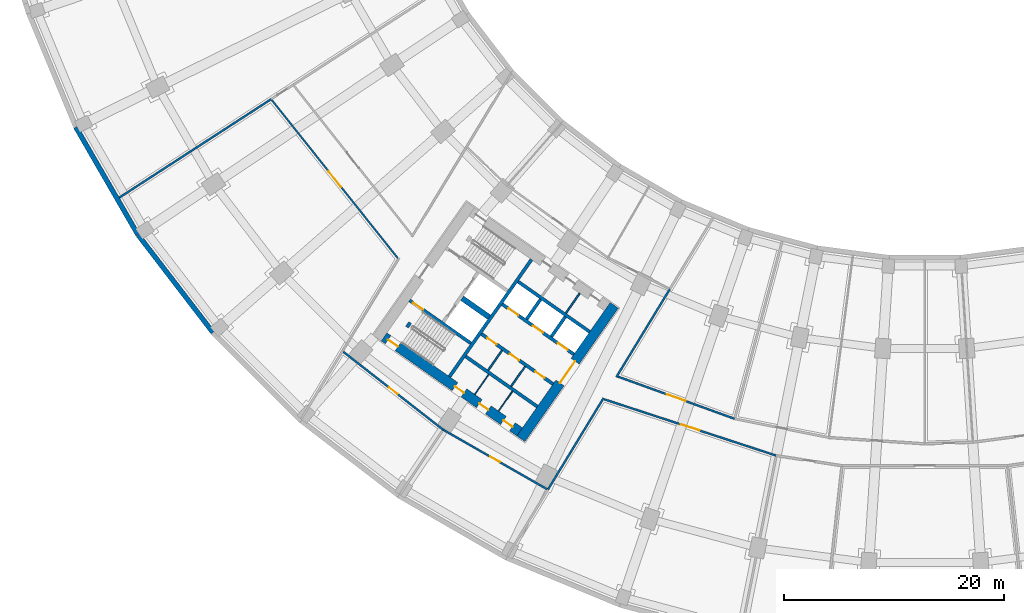
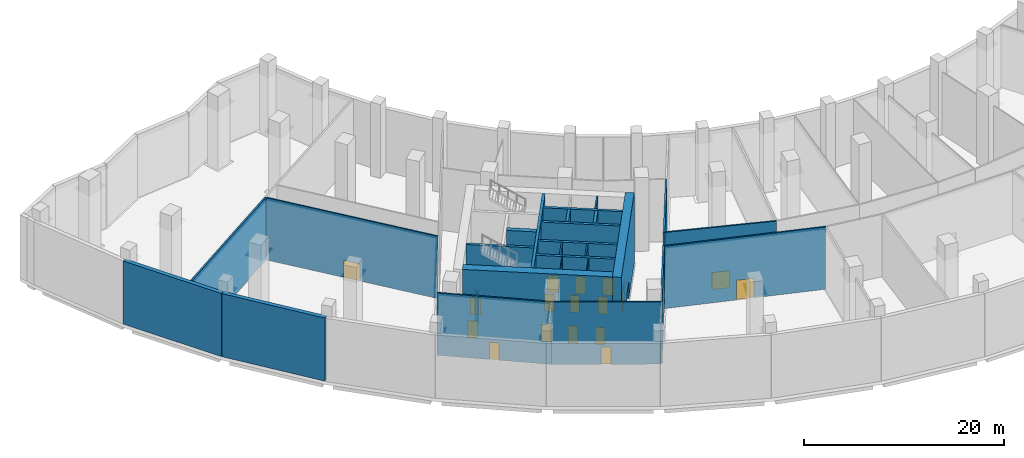
# One storey, part 5 of 19: 27 walls, 17 doors, 17 openings.
"""IFC4 building model written with IfcOpenShell, lengths in metres."""

from ifc_helpers import new_model, si_unit, direction, frame, frame_2d, origin, place, context, subcontext, project, spatial, rectangle, extrude, material, layer, layer_set, type_object, element, fill, save


model = new_model("IFC4")

# Units and contexts
model_context = context("Model", 3, precision=1e-05, world=origin(), true_north=direction((0.0, 1.0)))
body_context = subcontext(model_context, "Body", "Model", "MODEL_VIEW")
ifc_project = project(units=[si_unit("LENGTHUNIT", "METRE"), si_unit("AREAUNIT", "SQUARE_METRE"), si_unit("VOLUMEUNIT", "CUBIC_METRE"), si_unit("PLANEANGLEUNIT", "RADIAN"), si_unit("MASSUNIT", "GRAM", prefix="KILO")], contexts=[model_context])

# Site, building, storey
site_placement = place(None, origin())
site = spatial("IfcSite", under=ifc_project, at=site_placement, CompositionType="ELEMENT")
building_placement = place(site_placement, origin())
building = spatial("IfcBuilding", under=site, at=building_placement, Name="Qamariyya Broadcast Tower", CompositionType="ELEMENT")
storey_placement = place(building_placement, frame((0.0, 0.0, 9.0)))
storey = spatial("IfcBuildingStorey", under=building, at=storey_placement, Name="L01", CompositionType="ELEMENT", Elevation=9.0)

# Wall, opening, door
ifc_material_1 = material(Name="Concrete C70/85", Category="concrete")
ifc_layer_1 = layer(ifc_material_1, 0.89990234375)
ifc_layer_set_1 = layer_set([ifc_layer_1], Name="Core wall 900 mm Concrete C70/85")
wall_type_1 = type_object("IfcWallType", Name="Core wall 900 mm Concrete C70/85", PredefinedType="SHEAR", material=ifc_layer_set_1)
wall_1_placement = place(storey_placement, frame((-36.716796875, -66.3369140625, 0.0), z_axis=(0.0, 0.0, 1.0), x_axis=(0.573577477574, 0.819151315216, 0.0)))
wall_1 = element("IfcWall", 1, at=wall_1_placement, inside=storey, type_object=wall_type_1, Name="k-W-L01-WA", PredefinedType="SHEAR", context=body_context, shape_type="SweptSolid", body=[
    extrude(rectangle(XDim=14.800048828125, YDim=0.89990234375, at=frame_2d((7.39990234375, 0.0))), origin(), (0.0, 0.0, 1.0), 8.60009765625),
])
opening_1_placement = place(wall_1_placement, frame((6.199951171875, 0.0, 0.0)))
opening_1 = element("IfcOpeningElement", 2, at=opening_1_placement, cuts=wall_1, Name="Opening KD3-W1", PredefinedType="OPENING", context=body_context, shape_type="SweptSolid", body=[
    extrude(rectangle(XDim=2.39990234375, YDim=2.10009765625, at=frame_2d((1.199951171875, 1.050048828125))), frame((0.0, 0.4599609375, 0.0), z_axis=(0.0, -1.0, 0.0), x_axis=(1.0, 0.0, 0.0)), (0.0, 0.0, 1.0), 0.919921875),
])
ifc_material_2 = material(Name="Steel fire-resisting door leaf", Category="steel")
door_type_1 = type_object("IfcDoorType", Name="Lift lobby door KD3", OperationType="DOUBLE_DOOR_SINGLE_SWING", PredefinedType="DOOR", material=ifc_material_2)
door_1_placement = place(opening_1_placement, origin())
door_1 = element("IfcDoor", 3, at=door_1_placement, inside=storey, type_object=door_type_1, Name="k-W-L01-WA-D1", OperationType="DOUBLE_DOOR_SINGLE_SWING", OverallHeight=2.10009765625, OverallWidth=2.39990234375, PredefinedType="DOOR", context=body_context, shape_type="SweptSolid", body=[
    extrude(rectangle(XDim=2.39990234375, YDim=2.10009765625, at=frame_2d((1.199951171875, 1.050048828125))), frame((0.0, 0.02490234375, 0.0), z_axis=(0.0, -1.0, 0.0), x_axis=(1.0, 0.0, 0.0)), (0.0, 0.0, 1.0), 0.050048828125),
])
fill(opening_1, door_1)

# Wall, openings, doors
wall_2_placement = place(storey_placement, frame((-36.827392578125, -65.710205078125, 0.0), z_axis=(0.0, 0.0, 1.0), x_axis=(-0.819153391756, 0.573574511963, 0.0)))
wall_2 = element("IfcWall", 4, at=wall_2_placement, inside=storey, type_object=wall_type_1, Name="k-W-L01-WO", PredefinedType="SHEAR", context=body_context, shape_type="SweptSolid", body=[
    extrude(rectangle(XDim=15.04541015625, YDim=0.89990234375, at=frame_2d((7.522705078125, 0.0))), origin(), (0.0, 0.0, 1.0), 8.60009765625),
])
opening_2_placement = place(wall_2_placement, frame((0.800048828125, 0.0, 0.0)))
opening_2 = element("IfcOpeningElement", 5, at=opening_2_placement, cuts=wall_2, Name="Opening KD4-W2", PredefinedType="OPENING", context=body_context, shape_type="SweptSolid", body=[
    extrude(rectangle(XDim=1.0, YDim=2.10009765625, at=frame_2d((0.5, 1.050048828125))), frame((0.0, 0.4599609375, 0.0), z_axis=(0.0, -1.0, 0.0), x_axis=(1.0, 0.0, 0.0)), (0.0, 0.0, 1.0), 0.919921875),
])
opening_3_placement = place(wall_2_placement, frame((3.47509765625, 0.0, 0.0)))
opening_3 = element("IfcOpeningElement", 6, at=opening_3_placement, cuts=wall_2, Name="Opening KD4-W3", PredefinedType="OPENING", context=body_context, shape_type="SweptSolid", body=[
    extrude(rectangle(XDim=1.0, YDim=2.10009765625, at=frame_2d((0.5, 1.050048828125))), frame((0.0, 0.4599609375, 0.0), z_axis=(0.0, -1.0, 0.0), x_axis=(1.0, 0.0, 0.0)), (0.0, 0.0, 1.0), 0.919921875),
])
opening_4_placement = place(wall_2_placement, frame((6.175048828125, 0.0, 0.0)))
opening_4 = element("IfcOpeningElement", 7, at=opening_4_placement, cuts=wall_2, Name="Opening KD4-W4", PredefinedType="OPENING", context=body_context, shape_type="SweptSolid", body=[
    extrude(rectangle(XDim=1.0, YDim=2.10009765625, at=frame_2d((0.5, 1.050048828125))), frame((0.0, 0.4599609375, 0.0), z_axis=(0.0, -1.0, 0.0), x_axis=(1.0, 0.0, 0.0)), (0.0, 0.0, 1.0), 0.919921875),
])
opening_5_placement = place(wall_2_placement, frame((13.495361328125, 0.0, 0.0)))
opening_5 = element("IfcOpeningElement", 8, at=opening_5_placement, cuts=wall_2, Name="Opening KD1-W3", PredefinedType="OPENING", context=body_context, shape_type="SweptSolid", body=[
    extrude(rectangle(XDim=1.10009765625, YDim=2.10009765625, at=frame_2d((0.550048828125, 1.050048828125))), frame((0.0, 0.4599609375, 0.0), z_axis=(0.0, -1.0, 0.0), x_axis=(1.0, 0.0, 0.0)), (0.0, 0.0, 1.0), 0.919921875),
])
door_type_2 = type_object("IfcDoorType", Name="Riser and plant door KD4", OperationType="SINGLE_SWING_LEFT", PredefinedType="DOOR", material=ifc_material_2)
door_2_placement = place(opening_2_placement, origin())
door_2 = element("IfcDoor", 9, at=door_2_placement, inside=storey, type_object=door_type_2, Name="k-W-L01-WO-D11", OperationType="SINGLE_SWING_RIGHT", OverallHeight=2.10009765625, OverallWidth=1.0, PredefinedType="DOOR", context=body_context, shape_type="SweptSolid", body=[
    extrude(rectangle(XDim=1.0, YDim=2.10009765625, at=frame_2d((0.5, 1.050048828125))), frame((0.0, 0.02490234375, 0.0), z_axis=(0.0, -1.0, 0.0), x_axis=(1.0, 0.0, 0.0)), (0.0, 0.0, 1.0), 0.050048828125),
])
fill(opening_2, door_2)
door_3_placement = place(opening_3_placement, origin())
door_3 = element("IfcDoor", 10, at=door_3_placement, inside=storey, type_object=door_type_2, Name="k-W-L01-WO-D12", OperationType="SINGLE_SWING_LEFT", OverallHeight=2.10009765625, OverallWidth=1.0, PredefinedType="DOOR", context=body_context, shape_type="SweptSolid", body=[
    extrude(rectangle(XDim=1.0, YDim=2.10009765625, at=frame_2d((0.5, 1.050048828125))), frame((0.0, 0.02490234375, 0.0), z_axis=(0.0, -1.0, 0.0), x_axis=(1.0, 0.0, 0.0)), (0.0, 0.0, 1.0), 0.050048828125),
])
fill(opening_3, door_3)
door_4_placement = place(opening_4_placement, origin())
door_4 = element("IfcDoor", 11, at=door_4_placement, inside=storey, type_object=door_type_2, Name="k-W-L01-WO-D13", OperationType="SINGLE_SWING_RIGHT", OverallHeight=2.10009765625, OverallWidth=1.0, PredefinedType="DOOR", context=body_context, shape_type="SweptSolid", body=[
    extrude(rectangle(XDim=1.0, YDim=2.10009765625, at=frame_2d((0.5, 1.050048828125))), frame((0.0, 0.02490234375, 0.0), z_axis=(0.0, -1.0, 0.0), x_axis=(1.0, 0.0, 0.0)), (0.0, 0.0, 1.0), 0.050048828125),
])
fill(opening_4, door_4)
door_type_3 = type_object("IfcDoorType", Name="Stair door KD1", OperationType="SINGLE_SWING_LEFT", PredefinedType="DOOR", material=ifc_material_2)
door_5_placement = place(opening_5_placement, origin())
door_5 = element("IfcDoor", 12, at=door_5_placement, inside=storey, type_object=door_type_3, Name="k-W-L01-WO-D19", OperationType="SINGLE_SWING_LEFT", OverallHeight=2.10009765625, OverallWidth=1.10009765625, PredefinedType="DOOR", context=body_context, shape_type="SweptSolid", body=[
    extrude(rectangle(XDim=1.10009765625, YDim=2.10009765625, at=frame_2d((0.550048828125, 1.050048828125))), frame((0.0, 0.02490234375, 0.0), z_axis=(0.0, -1.0, 0.0), x_axis=(1.0, 0.0, 0.0)), (0.0, 0.0, 1.0), 0.050048828125),
])
fill(opening_5, door_5)

# Wall, opening, door
ifc_material_3 = material(Name="Gypsum board partition")
ifc_layer_2 = layer(ifc_material_3, 0.14990234375)
ifc_layer_set_2 = layer_set([ifc_layer_2], Name="Corridor partition 150 EI 60")
wall_type_2 = type_object("IfcWallType", Name="Corridor partition 150 EI 60", PredefinedType="PARTITIONING", material=ifc_layer_set_2)
wall_3_placement = place(storey_placement, frame((-47.893310546875, -49.934814453125, 0.0), z_axis=(0.0, 0.0, 1.0), x_axis=(-0.623145641882, 0.782105817011, 0.0)))
wall_3 = element("IfcWall", 13, at=wall_3_placement, inside=storey, type_object=wall_type_2, Name="Partition L01-007", PredefinedType="PARTITIONING", context=body_context, shape_type="SweptSolid", body=[
    extrude(rectangle(XDim=18.404296875, YDim=0.14990234375, at=frame_2d((9.2021484375, 0.0))), origin(), (0.0, 0.0, 1.0), 7.60009765625),
])
opening_6_placement = place(wall_3_placement, frame((8.30224609375, 0.0, 0.0)))
opening_6 = element("IfcOpeningElement", 14, at=opening_6_placement, cuts=wall_3, Name="Opening L01-D18", PredefinedType="OPENING", context=body_context, shape_type="SweptSolid", body=[
    extrude(rectangle(XDim=1.800048828125, YDim=2.10009765625, at=frame_2d((0.89990234375, 1.050048828125))), frame((0.0, 0.0849609375, 0.0), z_axis=(0.0, -1.0, 0.0), x_axis=(1.0, 0.0, 0.0)), (0.0, 0.0, 1.0), 0.169921875),
])
ifc_material_4 = material(Name="Timber fire door leaf", Category="wood")
door_type_4 = type_object("IfcDoorType", Name="Double fire door 1800 x 2100 FD60", OperationType="NOTDEFINED", PredefinedType="DOOR", material=ifc_material_4)
door_6_placement = place(opening_6_placement, origin())
door_6 = element("IfcDoor", 15, at=door_6_placement, inside=storey, type_object=door_type_4, Name="Door L01-D18", OperationType="DOUBLE_DOOR_SINGLE_SWING", OverallHeight=2.10009765625, OverallWidth=1.800048828125, PredefinedType="DOOR", context=body_context, shape_type="SweptSolid", body=[
    extrude(rectangle(XDim=1.800048828125, YDim=2.10009765625, at=frame_2d((0.89990234375, 1.050048828125))), frame((0.0, 0.02490234375, 0.0), z_axis=(0.0, -1.0, 0.0), x_axis=(1.0, 0.0, 0.0)), (0.0, 0.0, 1.0), 0.050048828125),
])
fill(opening_6, door_6)

# Walls
ifc_material_5 = material(Name="Concrete C60/75", Category="concrete")
ifc_layer_3 = layer(ifc_material_5, 0.5)
ifc_layer_set_3 = layer_set([ifc_layer_3], Name="Fire-fighting lobby divider wall 500 mm Concrete C60/75")
wall_type_3 = type_object("IfcWallType", Name="Fire-fighting lobby divider wall 500 mm Concrete C60/75", PredefinedType="SOLIDWALL", material=ifc_layer_set_3)
wall_4_placement = place(storey_placement, frame((-39.59912109375, -55.28515625, 0.0), z_axis=(0.0, 0.0, 1.0), x_axis=(-0.819136323161, 0.573598887793, 0.0)))
element("IfcWall", 16, at=wall_4_placement, inside=storey, type_object=wall_type_3, Name="k-W-L01-FD", PredefinedType="SOLIDWALL", context=body_context, shape_type="SweptSolid", body=[
    extrude(rectangle(XDim=2.999755859375, YDim=0.5, at=frame_2d((1.5, 0.0))), origin(), (0.0, 0.0, 1.0), 8.60009765625),
])
ifc_material_6 = material(Name="Gypsum board partition on steel studs", Category="steel")
ifc_layer_4 = layer(ifc_material_6, 0.14990234375)
ifc_layer_set_4 = layer_set([ifc_layer_4], Name="Gypsum board partition 150 mm")
wall_type_4 = type_object("IfcWallType", Name="Gypsum board partition 150 mm", PredefinedType="PARTITIONING", material=ifc_layer_set_4)
for number, where, z_axis, x_axis, name in (
    (17, (-36.330810546875, -59.77099609375, 0.0), (0.0, 0.0, 1.0), (-0.573633636671, -0.819111989218, 0.0), "k-W-L01-SC300"),
    (18, (-38.419677734375, -58.308349609375, 0.0), (0.0, 0.0, 1.0), (-0.573633636671, -0.819111989218, 0.0), "k-W-L01-SC555"),
    (19, (-32.627197265625, -54.91748046875, 0.0), (0.0, 0.0, 1.0), (0.573507030513, 0.819200638399, 0.0), "k-W-L01-NP275"),
):
    element("IfcWall", number, at=place(storey_placement, frame(where, z_axis=z_axis, x_axis=x_axis)), inside=storey, type_object=wall_type_4, Name=name, PredefinedType="PARTITIONING", context=body_context, shape_type="SweptSolid", body=[
        extrude(rectangle(XDim=2.199951171875, YDim=0.14990234375, at=frame_2d((1.10009765625, 0.0))), origin(), (0.0, 0.0, 1.0), 8.60009765625),
    ])
ifc_layer_5 = layer(ifc_material_5, 0.300048828125)
ifc_layer_set_5 = layer_set([ifc_layer_5], Name="Lift shaft wall 300 mm Concrete C60/75")
wall_type_5 = type_object("IfcWallType", Name="Lift shaft wall 300 mm Concrete C60/75", PredefinedType="SOLIDWALL", material=ifc_layer_set_5)
wall_5_placement = place(storey_placement, frame((-43.204345703125, -60.69580078125, 0.0), z_axis=(0.0, 0.0, 1.0), x_axis=(0.573571992966, 0.819155155563, 0.0)))
element("IfcWall", 20, at=wall_5_placement, inside=storey, type_object=wall_type_5, Name="k-W-L01-WL", PredefinedType="SOLIDWALL", context=body_context, shape_type="SweptSolid", body=[
    extrude(rectangle(XDim=13.000244140625, YDim=0.300048828125, at=frame_2d((6.5, 0.0))), origin(), (0.0, 0.0, 1.0), 8.60009765625),
])

# Wall, openings, doors
wall_6_placement = place(storey_placement, frame((-31.89453125, -58.66552734375, 0.0), z_axis=(0.0, 0.0, 1.0), x_axis=(-0.819166993208, 0.573555086491, 0.0)))
wall_6 = element("IfcWall", 21, at=wall_6_placement, inside=storey, type_object=wall_type_5, Name="k-W-L01-NF0", PredefinedType="SOLIDWALL", context=body_context, shape_type="SweptSolid", body=[
    extrude(rectangle(XDim=7.9501953125, YDim=0.300048828125, at=frame_2d((3.97509765625, 0.0))), origin(), (0.0, 0.0, 1.0), 8.60009765625),
])
opening_7_placement = place(wall_6_placement, frame((0.675048828125, 0.0, 0.0)))
opening_7 = element("IfcOpeningElement", 22, at=opening_7_placement, cuts=wall_6, Name="Opening LD", PredefinedType="OPENING", context=body_context, shape_type="SweptSolid", body=[
    extrude(rectangle(XDim=1.10009765625, YDim=2.10009765625, at=frame_2d((0.550048828125, 1.050048828125))), frame((0.0, 0.159912109375, 0.0), z_axis=(0.0, -1.0, 0.0), x_axis=(1.0, 0.0, 0.0)), (0.0, 0.0, 1.0), 0.320068359375),
])
opening_8_placement = place(wall_6_placement, frame((3.425048828125, 0.0, 0.0)))
opening_8 = element("IfcOpeningElement", 23, at=opening_8_placement, cuts=wall_6, Name="Opening LD", PredefinedType="OPENING", context=body_context, shape_type="SweptSolid", body=[
    extrude(rectangle(XDim=1.10009765625, YDim=2.10009765625, at=frame_2d((0.550048828125, 1.050048828125))), frame((0.0, 0.159912109375, 0.0), z_axis=(0.0, -1.0, 0.0), x_axis=(1.0, 0.0, 0.0)), (0.0, 0.0, 1.0), 0.320068359375),
])
opening_9_placement = place(wall_6_placement, frame((6.175048828125, 0.0, 0.0)))
opening_9 = element("IfcOpeningElement", 24, at=opening_9_placement, cuts=wall_6, Name="Opening LD", PredefinedType="OPENING", context=body_context, shape_type="SweptSolid", body=[
    extrude(rectangle(XDim=1.10009765625, YDim=2.10009765625, at=frame_2d((0.550048828125, 1.050048828125))), frame((0.0, 0.159912109375, 0.0), z_axis=(0.0, -1.0, 0.0), x_axis=(1.0, 0.0, 0.0)), (0.0, 0.0, 1.0), 0.320068359375),
])
door_type_5 = type_object("IfcDoorType", Name="Lift landing door LD", OperationType="DOUBLE_DOOR_SLIDING", PredefinedType="DOOR", material=ifc_material_2)
door_7_placement = place(opening_7_placement, origin())
door_7 = element("IfcDoor", 25, at=door_7_placement, inside=storey, type_object=door_type_5, Name="k-W-L01-NF0-D2", OperationType="DOUBLE_DOOR_SLIDING", OverallHeight=2.10009765625, OverallWidth=1.10009765625, PredefinedType="DOOR", context=body_context, shape_type="SweptSolid", body=[
    extrude(rectangle(XDim=1.10009765625, YDim=2.10009765625, at=frame_2d((0.550048828125, 1.050048828125))), frame((0.0, 0.02490234375, 0.0), z_axis=(0.0, -1.0, 0.0), x_axis=(1.0, 0.0, 0.0)), (0.0, 0.0, 1.0), 0.050048828125),
])
fill(opening_7, door_7)
door_8_placement = place(opening_8_placement, origin())
door_8 = element("IfcDoor", 26, at=door_8_placement, inside=storey, type_object=door_type_5, Name="k-W-L01-NF0-D3", OperationType="DOUBLE_DOOR_SLIDING", OverallHeight=2.10009765625, OverallWidth=1.10009765625, PredefinedType="DOOR", context=body_context, shape_type="SweptSolid", body=[
    extrude(rectangle(XDim=1.10009765625, YDim=2.10009765625, at=frame_2d((0.550048828125, 1.050048828125))), frame((0.0, 0.02490234375, 0.0), z_axis=(0.0, -1.0, 0.0), x_axis=(1.0, 0.0, 0.0)), (0.0, 0.0, 1.0), 0.050048828125),
])
fill(opening_8, door_8)
door_9_placement = place(opening_9_placement, origin())
door_9 = element("IfcDoor", 27, at=door_9_placement, inside=storey, type_object=door_type_5, Name="k-W-L01-NF0-D4", OperationType="DOUBLE_DOOR_SLIDING", OverallHeight=2.10009765625, OverallWidth=1.10009765625, PredefinedType="DOOR", context=body_context, shape_type="SweptSolid", body=[
    extrude(rectangle(XDim=1.10009765625, YDim=2.10009765625, at=frame_2d((0.550048828125, 1.050048828125))), frame((0.0, 0.02490234375, 0.0), z_axis=(0.0, -1.0, 0.0), x_axis=(1.0, 0.0, 0.0)), (0.0, 0.0, 1.0), 0.050048828125),
])
fill(opening_9, door_9)

# Walls
wall_7_placement = place(storey_placement, frame((-30.460693359375, -56.61767578125, 0.0), z_axis=(0.0, 0.0, 1.0), x_axis=(-0.819142461705, 0.573590121456, 0.0)))
element("IfcWall", 28, at=wall_7_placement, inside=storey, type_object=wall_type_5, Name="k-W-L01-NB0", PredefinedType="SOLIDWALL", context=body_context, shape_type="SweptSolid", body=[
    extrude(rectangle(XDim=7.949951171875, YDim=0.300048828125, at=frame_2d((3.97509765625, 0.0))), origin(), (0.0, 0.0, 1.0), 8.60009765625),
])
wall_8_placement = place(storey_placement, frame((-33.9384765625, -57.051513671875, 0.0), z_axis=(0.0, 0.0, 1.0), x_axis=(0.573581496053, 0.819148501424, 0.0)))
element("IfcWall", 29, at=wall_8_placement, inside=storey, type_object=wall_type_5, Name="k-W-L01-ND0", PredefinedType="SOLIDWALL", context=body_context, shape_type="SweptSolid", body=[
    extrude(rectangle(XDim=2.2001953125, YDim=0.300048828125, at=frame_2d((1.10009765625, 0.0))), origin(), (0.0, 0.0, 1.0), 8.60009765625),
])
wall_9_placement = place(storey_placement, frame((-36.19091796875, -55.47412109375, 0.0), z_axis=(0.0, 0.0, 1.0), x_axis=(0.573507030513, 0.819200638399, 0.0)))
element("IfcWall", 30, at=wall_9_placement, inside=storey, type_object=wall_type_5, Name="k-W-L01-ND1", PredefinedType="SOLIDWALL", context=body_context, shape_type="SweptSolid", body=[
    extrude(rectangle(XDim=2.199951171875, YDim=0.300048828125, at=frame_2d((1.10009765625, 0.0))), origin(), (0.0, 0.0, 1.0), 8.60009765625),
])

# Wall, openings, doors
wall_10_placement = place(storey_placement, frame((-33.787353515625, -61.368896484375, 0.0), z_axis=(0.0, 0.0, 1.0), x_axis=(-0.819152564888, 0.573575692858, 0.0)))
wall_10 = element("IfcWall", 31, at=wall_10_placement, inside=storey, type_object=wall_type_5, Name="k-W-L01-SF0", PredefinedType="SOLIDWALL", context=body_context, shape_type="SweptSolid", body=[
    extrude(rectangle(XDim=7.9501953125, YDim=0.300048828125, at=frame_2d((3.97509765625, 0.0))), origin(), (0.0, 0.0, 1.0), 8.60009765625),
])
opening_10_placement = place(wall_10_placement, frame((0.96240234375, 0.0, 0.0)))
opening_10 = element("IfcOpeningElement", 32, at=opening_10_placement, cuts=wall_10, Name="Opening KD6-W1", PredefinedType="OPENING", context=body_context, shape_type="SweptSolid", body=[
    extrude(rectangle(XDim=1.0, YDim=2.10009765625, at=frame_2d((0.5, 1.050048828125))), frame((0.0, 0.159912109375, 0.0), z_axis=(0.0, -1.0, 0.0), x_axis=(1.0, 0.0, 0.0)), (0.0, 0.0, 1.0), 0.320068359375),
])
opening_11_placement = place(wall_10_placement, frame((3.77490234375, 0.0, 0.0)))
opening_11 = element("IfcOpeningElement", 33, at=opening_11_placement, cuts=wall_10, Name="Opening KD4-W1", PredefinedType="OPENING", context=body_context, shape_type="SweptSolid", body=[
    extrude(rectangle(XDim=1.0, YDim=2.10009765625, at=frame_2d((0.5, 1.050048828125))), frame((0.0, 0.159912109375, 0.0), z_axis=(0.0, -1.0, 0.0), x_axis=(1.0, 0.0, 0.0)), (0.0, 0.0, 1.0), 0.320068359375),
])
opening_12_placement = place(wall_10_placement, frame((6.28759765625, 0.0, 0.0)))
opening_12 = element("IfcOpeningElement", 34, at=opening_12_placement, cuts=wall_10, Name="Opening KD6-W2", PredefinedType="OPENING", context=body_context, shape_type="SweptSolid", body=[
    extrude(rectangle(XDim=1.0, YDim=2.10009765625, at=frame_2d((0.5, 1.050048828125))), frame((0.0, 0.159912109375, 0.0), z_axis=(0.0, -1.0, 0.0), x_axis=(1.0, 0.0, 0.0)), (0.0, 0.0, 1.0), 0.320068359375),
])
door_type_6 = type_object("IfcDoorType", Name="Core room door KD6", OperationType="SINGLE_SWING_LEFT", PredefinedType="DOOR", material=ifc_material_2)
door_10_placement = place(opening_10_placement, origin())
door_10 = element("IfcDoor", 35, at=door_10_placement, inside=storey, type_object=door_type_6, Name="k-W-L01-SF0-D5", OperationType="SINGLE_SWING_RIGHT", OverallHeight=2.10009765625, OverallWidth=1.0, PredefinedType="DOOR", context=body_context, shape_type="SweptSolid", body=[
    extrude(rectangle(XDim=1.0, YDim=2.10009765625, at=frame_2d((0.5, 1.050048828125))), frame((0.0, 0.02490234375, 0.0), z_axis=(0.0, -1.0, 0.0), x_axis=(1.0, 0.0, 0.0)), (0.0, 0.0, 1.0), 0.050048828125),
])
fill(opening_10, door_10)
door_11_placement = place(opening_12_placement, origin())
door_11 = element("IfcDoor", 36, at=door_11_placement, inside=storey, type_object=door_type_6, Name="k-W-L01-SF0-D7", OperationType="SINGLE_SWING_RIGHT", OverallHeight=2.10009765625, OverallWidth=1.0, PredefinedType="DOOR", context=body_context, shape_type="SweptSolid", body=[
    extrude(rectangle(XDim=1.0, YDim=2.10009765625, at=frame_2d((0.5, 1.050048828125))), frame((0.0, 0.02490234375, 0.0), z_axis=(0.0, -1.0, 0.0), x_axis=(1.0, 0.0, 0.0)), (0.0, 0.0, 1.0), 0.050048828125),
])
fill(opening_12, door_11)
door_12_placement = place(opening_11_placement, origin())
door_12 = element("IfcDoor", 37, at=door_12_placement, inside=storey, type_object=door_type_2, Name="k-W-L01-SF0-D6", OperationType="SINGLE_SWING_LEFT", OverallHeight=2.10009765625, OverallWidth=1.0, PredefinedType="DOOR", context=body_context, shape_type="SweptSolid", body=[
    extrude(rectangle(XDim=1.0, YDim=2.10009765625, at=frame_2d((0.5, 1.050048828125))), frame((0.0, 0.02490234375, 0.0), z_axis=(0.0, -1.0, 0.0), x_axis=(1.0, 0.0, 0.0)), (0.0, 0.0, 1.0), 0.050048828125),
])
fill(opening_11, door_12)

# Wall
wall_11_placement = place(storey_placement, frame((-35.22119140625, -63.41650390625, 0.0), z_axis=(0.0, 0.0, 1.0), x_axis=(-0.819166993208, 0.573555086491, 0.0)))
element("IfcWall", 38, at=wall_11_placement, inside=storey, type_object=wall_type_5, Name="k-W-L01-SB0", PredefinedType="SOLIDWALL", context=body_context, shape_type="SweptSolid", body=[
    extrude(rectangle(XDim=7.9501953125, YDim=0.300048828125, at=frame_2d((3.97509765625, 0.0))), origin(), (0.0, 0.0, 1.0), 8.60009765625),
])

# Wall, opening, door
wall_12_placement = place(storey_placement, frame((-41.262451171875, -57.66064453125, 0.0), z_axis=(0.0, 0.0, 1.0), x_axis=(-0.819164398642, 0.573558792102, 0.0)))
wall_12 = element("IfcWall", 39, at=wall_12_placement, inside=storey, type_object=wall_type_5, Name="k-W-L01-SW", PredefinedType="SOLIDWALL", context=body_context, shape_type="SweptSolid", body=[
    extrude(rectangle(XDim=6.795166015625, YDim=0.300048828125, at=frame_2d((3.3974609375, 0.0))), origin(), (0.0, 0.0, 1.0), 8.60009765625),
])
opening_13_placement = place(wall_12_placement, frame((5.3203125, 0.0, 0.0)))
opening_13 = element("IfcOpeningElement", 40, at=opening_13_placement, cuts=wall_12, Name="Opening KD1-W4", PredefinedType="OPENING", context=body_context, shape_type="SweptSolid", body=[
    extrude(rectangle(XDim=1.10009765625, YDim=2.10009765625, at=frame_2d((0.550048828125, 1.050048828125))), frame((0.0, 0.159912109375, 0.0), z_axis=(0.0, -1.0, 0.0), x_axis=(1.0, 0.0, 0.0)), (0.0, 0.0, 1.0), 0.320068359375),
])
door_13_placement = place(opening_13_placement, origin())
door_13 = element("IfcDoor", 41, at=door_13_placement, inside=storey, type_object=door_type_3, Name="k-W-L01-SW-D20", OperationType="SINGLE_SWING_LEFT", OverallHeight=2.10009765625, OverallWidth=1.10009765625, PredefinedType="DOOR", context=body_context, shape_type="SweptSolid", body=[
    extrude(rectangle(XDim=1.10009765625, YDim=2.10009765625, at=frame_2d((0.550048828125, 1.050048828125))), frame((0.0, 0.02490234375, 0.0), z_axis=(0.0, -1.0, 0.0), x_axis=(1.0, 0.0, 0.0)), (0.0, 0.0, 1.0), 0.050048828125),
])
fill(opening_13, door_13)

# Walls
wall_13_placement = place(storey_placement, frame((-47.064697265625, -56.19189453125, 0.0), z_axis=(0.0, 0.0, 1.0), x_axis=(0.573822822947, 0.818979467304, 0.0)))
element("IfcWall", 42, at=wall_13_placement, inside=storey, type_object=wall_type_5, Name="k-W-L01-W1PR", PredefinedType="SOLIDWALL", context=body_context, shape_type="SweptSolid", body=[
    extrude(rectangle(XDim=0.5, YDim=0.300048828125, at=frame_2d((0.25, 0.0))), origin(), (0.0, 0.0, 1.0), 4.300048828125),
])
ifc_material_7 = material(Name="Precast concrete C40/50 with terracotta facing", Category="masonry")
ifc_layer_6 = layer(ifc_material_7, 0.449951171875)
ifc_layer_set_6 = layer_set([ifc_layer_6], Name="Precast concrete C40/50 wall 450, terracotta faced")
wall_type_6 = type_object("IfcWallType", Name="Precast concrete C40/50 wall 450, terracotta faced", PredefinedType="SOLIDWALL", material=ifc_layer_set_6)
wall_14_placement = place(storey_placement, frame((-77.16796875, -38.021728515625, 0.0), z_axis=(0.0, 0.0, 1.0), x_axis=(0.500001430823, -0.866024577697, 0.0)))
element("IfcWall", 43, at=wall_14_placement, inside=storey, type_object=wall_type_6, Name="e-wl-L01-out20", PredefinedType="SOLIDWALL", context=body_context, shape_type="SweptSolid", body=[
    extrude(rectangle(XDim=11.3125, YDim=0.449951171875, at=frame_2d((5.65625, 0.0))), origin(), (0.0, 0.0, 1.0), 7.699951171875),
])
wall_15_placement = place(storey_placement, frame((-71.490966796875, -47.83935546875, 0.0), z_axis=(0.0, 0.0, 1.0), x_axis=(0.608758773695, -0.793355377778, 0.0)))
element("IfcWall", 44, at=wall_15_placement, inside=storey, type_object=wall_type_6, Name="e-wl-L01-out30", PredefinedType="SOLIDWALL", context=body_context, shape_type="SweptSolid", body=[
    extrude(rectangle(XDim=11.134765625, YDim=0.449951171875, at=frame_2d((5.5673828125, 0.0))), origin(), (0.0, 0.0, 1.0), 7.699951171875),
])
ifc_material_8 = material(Name="Fire-rated gypsum shaft liner on steel studs", Category="steel")
ifc_layer_7 = layer(ifc_material_8, 0.10009765625)
ifc_layer_set_7 = layer_set([ifc_layer_7], Name="Riser wall 100 mm")
wall_type_7 = type_object("IfcWallType", Name="Riser wall 100 mm", PredefinedType="PLUMBINGWALL", material=ifc_layer_set_7)
wall_16_placement = place(storey_placement, frame((-37.47802734375, -62.01953125, 0.0), z_axis=(0.0, 0.0, 1.0), x_axis=(-0.573581496053, -0.819148501424, 0.0)))
element("IfcWall", 45, at=wall_16_placement, inside=storey, type_object=wall_type_7, Name="k-W-L01-SP265", PredefinedType="PLUMBINGWALL", context=body_context, shape_type="SweptSolid", body=[
    extrude(rectangle(XDim=2.2001953125, YDim=0.10009765625, at=frame_2d((1.10009765625, 0.0))), origin(), (0.0, 0.0, 1.0), 8.60009765625),
])
wall_17_placement = place(storey_placement, frame((-39.64892578125, -60.49951171875, 0.0), z_axis=(0.0, 0.0, 1.0), x_axis=(-0.573507030513, -0.819200638399, 0.0)))
element("IfcWall", 46, at=wall_17_placement, inside=storey, type_object=wall_type_7, Name="k-W-L01-SP530", PredefinedType="PLUMBINGWALL", context=body_context, shape_type="SweptSolid", body=[
    extrude(rectangle(XDim=2.199951171875, YDim=0.10009765625, at=frame_2d((1.10009765625, 0.0))), origin(), (0.0, 0.0, 1.0), 8.60009765625),
])
ifc_layer_8 = layer(ifc_material_3, 0.179931640625)
ifc_layer_set_8 = layer_set([ifc_layer_8], Name="Studio acoustic partition 180 EI 60")
wall_type_8 = type_object("IfcWallType", Name="Studio acoustic partition 180 EI 60", PredefinedType="PARTITIONING", material=ifc_layer_set_8)
wall_18_placement = place(storey_placement, frame((-73.217041015625, -44.416259765625, 0.0), z_axis=(0.0, 0.0, 1.0), x_axis=(0.839098650594, 0.543979277703, 0.0)))
element("IfcWall", 47, at=wall_18_placement, inside=storey, type_object=wall_type_8, Name="Partition L01-001", PredefinedType="PARTITIONING", context=body_context, shape_type="SweptSolid", body=[
    extrude(rectangle(XDim=16.445068359375, YDim=0.179931640625, at=frame_2d((8.22265625, 0.0))), origin(), (0.0, 0.0, 1.0), 7.60009765625),
])

# Wall, opening, door
wall_19_placement = place(storey_placement, frame((-43.779052734375, -65.519775390625, 0.0), z_axis=(0.0, 0.0, 1.0), x_axis=(-0.788252635542, 0.615351755146, 0.0)))
wall_19 = element("IfcWall", 48, at=wall_19_placement, inside=storey, type_object=wall_type_8, Name="Partition L01-005", PredefinedType="PARTITIONING", context=body_context, shape_type="SweptSolid", body=[
    extrude(rectangle(XDim=11.5263671875, YDim=0.179931640625, at=frame_2d((5.76318359375, 0.0))), origin(), (0.0, 0.0, 1.0), 7.60009765625),
])
opening_14_placement = place(wall_19_placement, frame((5.26318359375, 0.0, 0.0)))
opening_14 = element("IfcOpeningElement", 49, at=opening_14_placement, cuts=wall_19, Name="Opening L01-D15", PredefinedType="OPENING", context=body_context, shape_type="SweptSolid", body=[
    extrude(rectangle(XDim=1.0, YDim=2.10009765625, at=frame_2d((0.5, 1.050048828125))), frame((0.0, 0.099853515625, 0.0), z_axis=(0.0, -1.0, 0.0), x_axis=(1.0, 0.0, 0.0)), (0.0, 0.0, 1.0), 0.199951171875),
])
door_type_7 = type_object("IfcDoorType", Name="Fire door 1000 x 2100 FD60", OperationType="NOTDEFINED", PredefinedType="DOOR", material=ifc_material_4)
door_14_placement = place(opening_14_placement, origin())
door_14 = element("IfcDoor", 50, at=door_14_placement, inside=storey, type_object=door_type_7, Name="Door L01-D15", OperationType="SINGLE_SWING_RIGHT", OverallHeight=2.10009765625, OverallWidth=1.0, PredefinedType="DOOR", context=body_context, shape_type="SweptSolid", body=[
    extrude(rectangle(XDim=1.0, YDim=2.10009765625, at=frame_2d((0.5, 1.050048828125))), frame((0.0, 0.02490234375, 0.0), z_axis=(0.0, -1.0, 0.0), x_axis=(1.0, 0.0, 0.0)), (0.0, 0.0, 1.0), 0.050048828125),
])
fill(opening_14, door_14)

wall_20_placement = place(storey_placement, frame((-34.338134765625, -70.91796875, 0.0), z_axis=(0.0, 0.0, 1.0), x_axis=(-0.868109106225, 0.496373427663, 0.0)))
wall_20 = element("IfcWall", 51, at=wall_20_placement, inside=storey, type_object=wall_type_8, Name="Partition L01-010", PredefinedType="PARTITIONING", context=body_context, shape_type="SweptSolid", body=[
    extrude(rectangle(XDim=10.875244140625, YDim=0.179931640625, at=frame_2d((5.4375, 0.0))), origin(), (0.0, 0.0, 1.0), 7.60009765625),
])
opening_15_placement = place(wall_20_placement, frame((4.9375, 0.0, 0.0)))
opening_15 = element("IfcOpeningElement", 52, at=opening_15_placement, cuts=wall_20, Name="Opening L01-D16", PredefinedType="OPENING", context=body_context, shape_type="SweptSolid", body=[
    extrude(rectangle(XDim=1.0, YDim=2.10009765625, at=frame_2d((0.5, 1.050048828125))), frame((0.0, 0.099853515625, 0.0), z_axis=(0.0, -1.0, 0.0), x_axis=(1.0, 0.0, 0.0)), (0.0, 0.0, 1.0), 0.199951171875),
])
door_15_placement = place(opening_15_placement, origin())
door_15 = element("IfcDoor", 53, at=door_15_placement, inside=storey, type_object=door_type_7, Name="Door L01-D16", OperationType="SINGLE_SWING_RIGHT", OverallHeight=2.10009765625, OverallWidth=1.0, PredefinedType="DOOR", context=body_context, shape_type="SweptSolid", body=[
    extrude(rectangle(XDim=1.0, YDim=2.10009765625, at=frame_2d((0.5, 1.050048828125))), frame((0.0, 0.02490234375, 0.0), z_axis=(0.0, -1.0, 0.0), x_axis=(1.0, 0.0, 0.0)), (0.0, 0.0, 1.0), 0.050048828125),
])
fill(opening_15, door_15)

# Wall
wall_21_placement = place(storey_placement, frame((-29.19873046875, -62.639404296875, 0.0), z_axis=(0.0, 0.0, 1.0), x_axis=(-0.519569231187, -0.854428355103, 0.0)))
element("IfcWall", 54, at=wall_21_placement, inside=storey, type_object=wall_type_8, Name="Partition L01-017", PredefinedType="PARTITIONING", context=body_context, shape_type="SweptSolid", body=[
    extrude(rectangle(XDim=9.7412109375, YDim=0.179931640625, at=frame_2d((4.87060546875, 0.0))), origin(), (0.0, 0.0, 1.0), 7.60009765625),
])

# Wall, opening, door
wall_22_placement = place(storey_placement, frame((-13.500244140625, -67.870361328125, 0.0), z_axis=(0.0, 0.0, 1.0), x_axis=(-0.95037928892, 0.31109356662, 0.0)))
wall_22 = element("IfcWall", 55, at=wall_22_placement, inside=storey, type_object=wall_type_8, Name="Partition L01-018", PredefinedType="PARTITIONING", context=body_context, shape_type="SweptSolid", body=[
    extrude(rectangle(XDim=16.477294921875, YDim=0.179931640625, at=frame_2d((8.23876953125, 0.0))), origin(), (0.0, 0.0, 1.0), 7.60009765625),
])
opening_16_placement = place(wall_22_placement, frame((7.338623046875, 0.0, 0.0)))
opening_16 = element("IfcOpeningElement", 56, at=opening_16_placement, cuts=wall_22, Name="Opening L01-D01", PredefinedType="OPENING", context=body_context, shape_type="SweptSolid", body=[
    extrude(rectangle(XDim=1.800048828125, YDim=2.39990234375, at=frame_2d((0.89990234375, 1.199951171875))), frame((0.0, 0.099853515625, 0.0), z_axis=(0.0, -1.0, 0.0), x_axis=(1.0, 0.0, 0.0)), (0.0, 0.0, 1.0), 0.199951171875),
])
ifc_material_9 = material(Name="Acoustic timber door leaf", Category="wood")
door_type_8 = type_object("IfcDoorType", Name="Studio double door 1800 x 2400 FD60", OperationType="NOTDEFINED", PredefinedType="DOOR", material=ifc_material_9)
door_16_placement = place(opening_16_placement, origin())
door_16 = element("IfcDoor", 57, at=door_16_placement, inside=storey, type_object=door_type_8, Name="Door L01-D01", OperationType="DOUBLE_DOOR_SINGLE_SWING", OverallHeight=2.39990234375, OverallWidth=1.800048828125, PredefinedType="DOOR", context=body_context, shape_type="SweptSolid", body=[
    extrude(rectangle(XDim=1.800048828125, YDim=2.39990234375, at=frame_2d((0.89990234375, 1.199951171875))), frame((0.0, 0.02490234375, 0.0), z_axis=(0.0, -1.0, 0.0), x_axis=(1.0, 0.0, 0.0)), (0.0, 0.0, 1.0), 0.050048828125),
])
fill(opening_16, door_16)

wall_23_placement = place(storey_placement, frame((-27.906005859375, -60.683349609375, 0.0), z_axis=(0.0, 0.0, 1.0), x_axis=(0.94036474664, -0.340167816345, 0.0)))
wall_23 = element("IfcWall", 58, at=wall_23_placement, inside=storey, type_object=wall_type_8, Name="Partition L01-020", PredefinedType="PARTITIONING", context=body_context, shape_type="SweptSolid", body=[
    extrude(rectangle(XDim=11.290283203125, YDim=0.179931640625, at=frame_2d((5.64501953125, 0.0))), origin(), (0.0, 0.0, 1.0), 7.60009765625),
])
opening_17_placement = place(wall_23_placement, frame((4.7451171875, 0.0, 0.0)))
opening_17 = element("IfcOpeningElement", 59, at=opening_17_placement, cuts=wall_23, Name="Opening L01-D06", PredefinedType="OPENING", context=body_context, shape_type="SweptSolid", body=[
    extrude(rectangle(XDim=1.800048828125, YDim=2.10009765625, at=frame_2d((0.89990234375, 1.050048828125))), frame((0.0, 0.099853515625, 0.0), z_axis=(0.0, -1.0, 0.0), x_axis=(1.0, 0.0, 0.0)), (0.0, 0.0, 1.0), 0.199951171875),
])
door_17_placement = place(opening_17_placement, origin())
door_17 = element("IfcDoor", 60, at=door_17_placement, inside=storey, type_object=door_type_4, Name="Door L01-D06", OperationType="DOUBLE_DOOR_SINGLE_SWING", OverallHeight=2.10009765625, OverallWidth=1.800048828125, PredefinedType="DOOR", context=body_context, shape_type="SweptSolid", body=[
    extrude(rectangle(XDim=1.800048828125, YDim=2.10009765625, at=frame_2d((0.89990234375, 1.050048828125))), frame((0.0, 0.02490234375, 0.0), z_axis=(0.0, -1.0, 0.0), x_axis=(1.0, 0.0, 0.0)), (0.0, 0.0, 1.0), 0.050048828125),
])
fill(opening_17, door_17)

# Wall
wall_24_placement = place(storey_placement, frame((-23.174072265625, -52.732421875, 0.0), z_axis=(0.0, 0.0, 1.0), x_axis=(-0.519584464565, -0.854419091654, 0.0)))
element("IfcWall", 61, at=wall_24_placement, inside=storey, type_object=wall_type_8, Name="Partition L01-022", PredefinedType="PARTITIONING", context=body_context, shape_type="SweptSolid", body=[
    extrude(rectangle(XDim=9.35986328125, YDim=0.179931640625, at=frame_2d((4.679931640625, 0.0))), origin(), (0.0, 0.0, 1.0), 7.60009765625),
])

save(model, "model.ifc")
